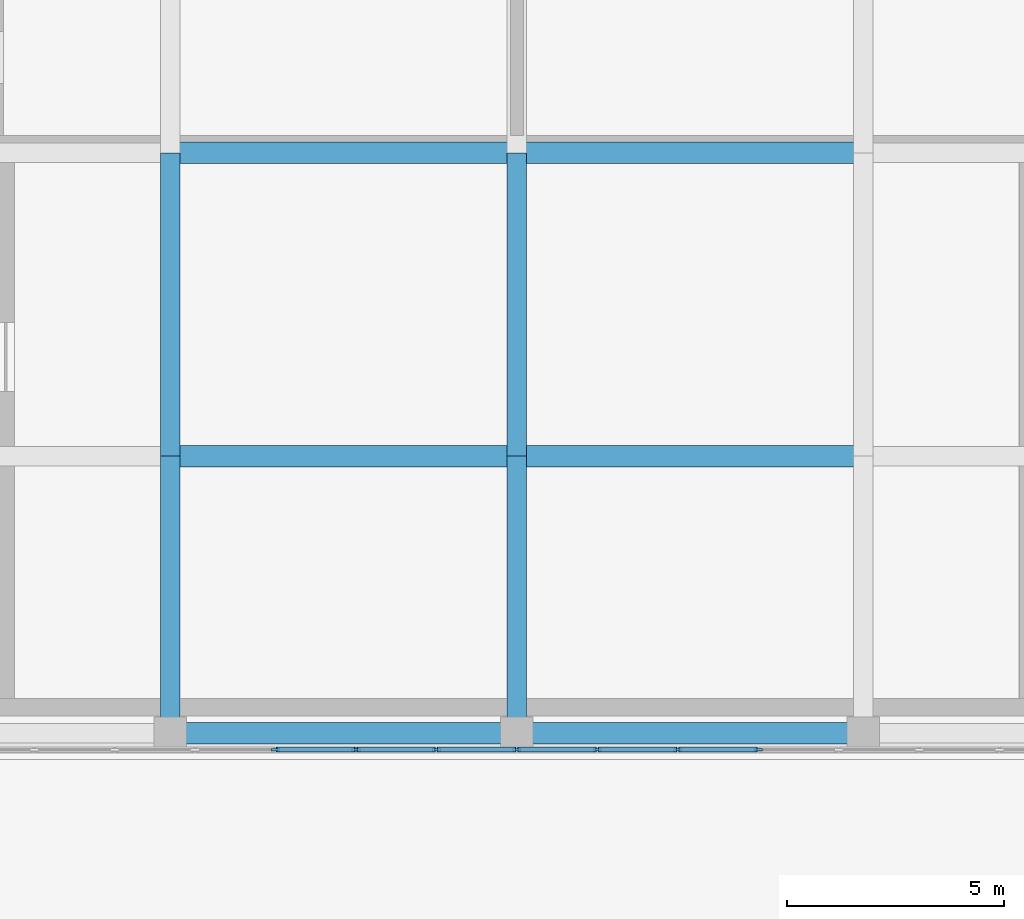
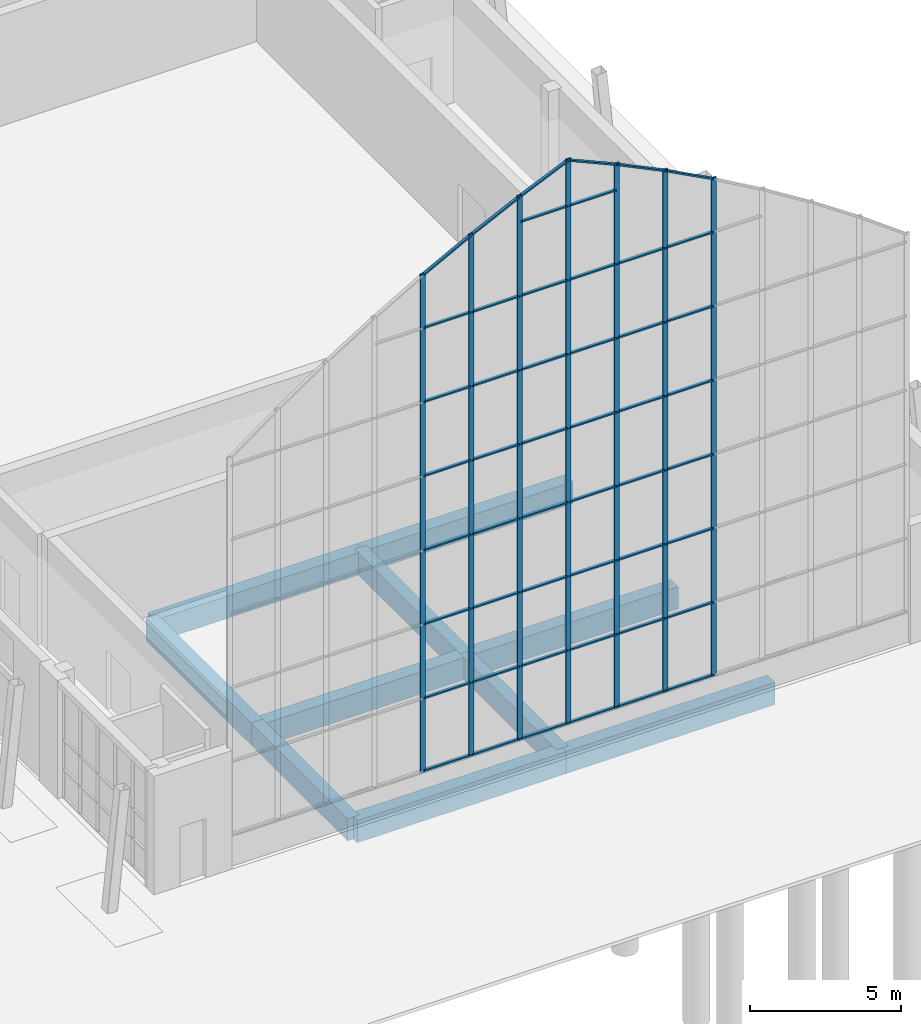
# One storey, part 36 of 144: 57 members, 10 beams, 1 element without a shape of its own.
"""IFC4 building model written with IfcOpenShell, lengths in metres."""

import ifcopenshell
import ifcopenshell.guid

model = None  # the IFC model being written
_history = None  # IfcOwnerHistory: only IFC2X3 demands one
_inside = {}  # id of a spatial element -> (the spatial element, [elements in it])
_under = {}  # id of a project, library or spatial element -> (it, [spatial elements below it])
_declared = {}  # id of a project -> (the project, [libraries it declares])
_typed = {}  # id of a type object -> (the type object, [elements of that type])
_made_of = {}  # id of a material, layer set ... -> (it, [elements and type objects made of it])


def new_model(schema):
    """Start an empty IFC model of exactly this schema.

    Asked for "IFC4X3", IfcOpenShell would pick the latest addendum, in which some entities
    have other attributes; the version numbers below select the first issue.
    IFC2X3 requires an IfcOwnerHistory on every rooted entity: one is made here for all.
    """
    global model, _history
    if schema == "IFC4X3":
        model = ifcopenshell.file(schema_version=(4, 3, 0, 0))
    else:
        model = ifcopenshell.file(schema=schema)
    _inside.clear()
    _under.clear()
    _declared.clear()
    _typed.clear()
    _made_of.clear()
    _history = None
    if model.schema == "IFC2X3":
        org = make("IfcOrganization", Name="unknown")
        user = make(
            "IfcPersonAndOrganization",
            ThePerson=make("IfcPerson", FamilyName="unknown"),
            TheOrganization=org,
        )
        app = make(
            "IfcApplication",
            ApplicationDeveloper=org,
            Version="unknown",
            ApplicationFullName="unknown",
            ApplicationIdentifier="unknown",
        )
        _history = make(
            "IfcOwnerHistory",
            OwningUser=user,
            OwningApplication=app,
            ChangeAction="ADDED",
            CreationDate=0,
        )
    return model


def make(cls, **values):
    """One entity of the class cls with the attributes given. An attribute that is None is left unset."""
    return model.create_entity(
        cls, **{name: value for name, value in values.items() if value is not None}
    )


def rooted(cls, **values):
    """An entity with a GlobalId (a new one), such as an element, a storey or a relation."""
    return make(cls, GlobalId=ifcopenshell.guid.new(), OwnerHistory=_history, **values)


def si_unit(unit_type, name, prefix=None):
    """IfcSIUnit, for example si_unit("LENGTHUNIT", "METRE", prefix="MILLI")."""
    return make("IfcSIUnit", UnitType=unit_type, Prefix=prefix, Name=name)


def assignment(units):
    """IfcUnitAssignment: the units of a project."""
    return None if units is None else make("IfcUnitAssignment", Units=units)


def point(xyz):
    """IfcCartesianPoint."""
    return None if xyz is None else make("IfcCartesianPoint", Coordinates=xyz)


def direction(xyz):
    """IfcDirection."""
    return None if xyz is None else make("IfcDirection", DirectionRatios=xyz)


def frame(location, z_axis=None, x_axis=None):
    """IfcAxis2Placement3D, a coordinate frame: its origin and axes. An axis left out is left unset."""
    return make(
        "IfcAxis2Placement3D",
        Location=point(location),
        Axis=direction(z_axis),
        RefDirection=direction(x_axis),
    )


def frame_2d(location, x_axis=None):
    """IfcAxis2Placement2D, a coordinate frame in the plane: its origin and x axis."""
    return make(
        "IfcAxis2Placement2D", Location=point(location), RefDirection=direction(x_axis)
    )


def origin():
    """The frame at (0, 0, 0) with its axes left unset."""
    return frame((0.0, 0.0, 0.0))


def origin_2d():
    """The frame at (0, 0) in the plane with its x axis left unset."""
    return frame_2d((0.0, 0.0))


def place(relative_to, where):
    """IfcLocalPlacement: puts the frame where relative to a parent placement (None: the world)."""
    return make(
        "IfcLocalPlacement", PlacementRelTo=relative_to, RelativePlacement=where
    )


def context(
    kind, dimensions, precision=None, world=None, true_north=None, identifier=None
):
    """IfcGeometricRepresentationContext, for example the 3D "Model" context."""
    return make(
        "IfcGeometricRepresentationContext",
        ContextIdentifier=identifier,
        ContextType=kind,
        CoordinateSpaceDimension=dimensions,
        Precision=precision,
        WorldCoordinateSystem=world,
        TrueNorth=true_north,
    )


def subcontext(parent, identifier, kind, view, scale=None):
    """IfcGeometricRepresentationSubContext, for example "Body" below "Model"."""
    return make(
        "IfcGeometricRepresentationSubContext",
        ContextIdentifier=identifier,
        ContextType=kind,
        ParentContext=parent,
        TargetScale=scale,
        TargetView=view,
    )


def project(units=None, contexts=None):
    """IfcProject with its units and contexts."""
    return rooted(
        "IfcProject",
        Name="project",
        RepresentationContexts=contexts,
        UnitsInContext=assignment(units),
    )


def spatial(cls, under=None, at=None, **own):
    """A site, building, storey or space (cls), placed at a placement, below another one or the project."""
    s = rooted(cls, ObjectPlacement=at, **own)
    if under is not None:
        _under.setdefault(under.id(), (under, []))[1].append(s)
    return s


def profile(cls, at=None, kind="AREA", **sizes):
    """A parametric profile (cls). Its sizes go by their IFC names, for example OverallWidth=200.0."""
    return make(cls, ProfileType=kind, Position=at, **sizes)


def rectangle(**sizes):
    """IfcRectangleProfileDef."""
    return profile("IfcRectangleProfileDef", **sizes)


def extrude(swept, where, along, depth):
    """IfcExtrudedAreaSolid: the profile swept, set in the frame where, extruded along a direction by depth."""
    return make(
        "IfcExtrudedAreaSolid",
        SweptArea=swept,
        Position=where,
        ExtrudedDirection=direction(along),
        Depth=depth,
    )


def shape(context_of_items, identifier, shape_type, items):
    """IfcShapeRepresentation: the items that make up one representation, for example the "Body"."""
    return make(
        "IfcShapeRepresentation",
        ContextOfItems=context_of_items,
        RepresentationIdentifier=identifier,
        RepresentationType=shape_type,
        Items=items,
    )


def material(Name=None, Category=None):
    """IfcMaterial."""
    return make("IfcMaterial", Name=Name, Category=Category)


def layer(
    of_material, thickness, ventilated=None, Name=None, Category=None, Priority=None
):
    """IfcMaterialLayer: one layer of a wall or slab, of a material (None: an air gap)."""
    return make(
        "IfcMaterialLayer",
        Material=of_material,
        LayerThickness=thickness,
        IsVentilated=ventilated,
        Name=Name,
        Category=Category,
        Priority=Priority,
    )


def layer_set(layers, Name=None):
    """IfcMaterialLayerSet."""
    return make("IfcMaterialLayerSet", MaterialLayers=layers, LayerSetName=Name)


def material_profile(
    of_material, cross_section, Name=None, Category=None, Priority=None
):
    """IfcMaterialProfile: a cross section and its material."""
    return make(
        "IfcMaterialProfile",
        Name=Name,
        Material=of_material,
        Profile=cross_section,
        Priority=Priority,
        Category=Category,
    )


def profile_set(profiles, Name=None, composite=None):
    """IfcMaterialProfileSet."""
    return make(
        "IfcMaterialProfileSet",
        Name=Name,
        MaterialProfiles=profiles,
        CompositeProfile=composite,
    )


def made_of(thing, what):
    """Note that an element or type object is made of a material, layer set ...; save() writes the relation."""
    if what is not None:
        _made_of.setdefault(what.id(), (what, []))[1].append(thing)
    return thing


def type_object(cls, material=None, **own):
    """A type object (cls), such as IfcWallType, which elements share."""
    return made_of(rooted(cls, **own), material)


def element(
    cls,
    number,
    at=None,
    inside=None,
    cuts=None,
    type_object=None,
    material=None,
    context=None,
    identifier="Body",
    shape_type=None,
    held_by="IfcProductDefinitionShape",
    body=None,
    shapes=None,
    **own,
):
    """One element of the class cls, such as IfcWall. Its Tag is "e" and its number.

    at: its placement. inside: the storey or other place that contains it. cuts: it is an
    opening in that element (IfcRelVoidsElement). A single representation is given by context,
    identifier, shape_type and body (its items); several are given by shapes. held_by: the class
    of the entity that holds the representations. save() writes the other relations.
    """
    e = rooted(cls, Tag="e%d" % number, ObjectPlacement=at, **own)
    if body is not None:
        shapes = [shape(context, identifier, shape_type, body)]
    if shapes is not None:
        e.Representation = make(held_by, Representations=shapes)
    if inside is not None:
        _inside.setdefault(inside.id(), (inside, []))[1].append(e)
    if cuts is not None:
        rooted(
            "IfcRelVoidsElement", RelatingBuildingElement=cuts, RelatedOpeningElement=e
        )
    if type_object is not None:
        _typed.setdefault(type_object.id(), (type_object, []))[1].append(e)
    return made_of(e, material)


def aggregate(whole, parts):
    """IfcRelAggregates: a whole, such as a stair, and the parts it consists of."""
    return rooted("IfcRelAggregates", RelatingObject=whole, RelatedObjects=parts)


def save(model, path):
    """Write the relations noted so far, then the file.

    IfcRelAggregates (storeys below a building ...), IfcRelContainedInSpatialStructure (elements
    in a storey), IfcRelDefinesByType, IfcRelAssociatesMaterial and IfcRelDeclares: one each for
    every whole, place, type object, material and project.
    """
    for whole, parts in _under.values():
        aggregate(whole, parts)
    for where, things in _inside.values():
        rooted(
            "IfcRelContainedInSpatialStructure",
            RelatedElements=things,
            RelatingStructure=where,
        )
    for kind, things in _typed.values():
        rooted("IfcRelDefinesByType", RelatedObjects=things, RelatingType=kind)
    for what, things in _made_of.values():
        rooted("IfcRelAssociatesMaterial", RelatedObjects=things, RelatingMaterial=what)
    for by, libraries in _declared.values():
        rooted("IfcRelDeclares", RelatingContext=by, RelatedDefinitions=libraries)
    model.write(path)


model = new_model("IFC4")

# Units and contexts
model_context = context("Model", 3, precision=1e-05, world=origin(), true_north=direction((0.0, 1.0)))
body_context = subcontext(model_context, "Body", "Model", "MODEL_VIEW")
ifc_project = project(units=[si_unit("LENGTHUNIT", "METRE"), si_unit("AREAUNIT", "SQUARE_METRE"), si_unit("VOLUMEUNIT", "CUBIC_METRE"), si_unit("PLANEANGLEUNIT", "RADIAN"), si_unit("MASSUNIT", "GRAM", prefix="KILO")], contexts=[model_context])

# Site, building, storey
site_placement = place(None, origin())
site = spatial("IfcSite", under=ifc_project, at=site_placement, CompositionType="ELEMENT")
building_placement = place(site_placement, origin())
building = spatial("IfcBuilding", under=site, at=building_placement, Name="Lantern Court Media Centre", CompositionType="ELEMENT")
storey_placement = place(building_placement, origin())
storey = spatial("IfcBuildingStorey", under=building, at=storey_placement, Name="L00", CompositionType="ELEMENT", Elevation=0.0)

# Curtain wall, members
ifc_material_1 = material(Name="Aluminium and glass", Category="aluminium")
ifc_layer = layer(ifc_material_1, 0.14990234375)
ifc_layer_set = layer_set([ifc_layer], Name="Aluminium and glass")
curtain_wall_type = type_object("IfcCurtainWallType", Name="Hall lancet glazing", PredefinedType="NOTDEFINED", material=ifc_layer_set)
curtain_wall_placement = place(storey_placement, origin())
curtain_wall = element("IfcCurtainWall", 1, at=curtain_wall_placement, inside=storey, type_object=curtain_wall_type, Name="Studio Hall HCW-V20 glazing", PredefinedType="NOTDEFINED")
ifc_material_2 = material(Name="Aluminium, anodised", Category="aluminium")
ifc_material_profile_1 = material_profile(ifc_material_2, rectangle(XDim=0.06005859375, YDim=0.199951171875, at=origin_2d()), Name="HM")
ifc_profile_set_1 = profile_set([ifc_material_profile_1], Name="Aluminium, anodised")
member_type_1 = type_object("IfcMemberType", Name="HM", PredefinedType="MULLION", material=ifc_profile_set_1)
member_1_placement = place(storey_placement, frame((82.428466796875, -1.77490234375, 1.199951171875), z_axis=(0.0, 0.0, 1.0), x_axis=(0.0, 1.0, 0.0)))
member_1 = element("IfcMember", 2, at=member_1_placement, type_object=member_type_1, Name="HCW-V20 mullion 5", PredefinedType="MULLION", context=body_context, shape_type="SweptSolid", body=[
    extrude(rectangle(XDim=0.06005859375, YDim=0.199951171875, at=origin_2d()), origin(), (0.0, 0.0, 1.0), 20.192626953125),
])
member_2_placement = place(storey_placement, frame((84.28564453125, -1.77490234375, 1.199951171875), z_axis=(0.0, 0.0, 1.0), x_axis=(0.0, 1.0, 0.0)))
member_2 = element("IfcMember", 3, at=member_2_placement, type_object=member_type_1, Name="HCW-V20 mullion 6", PredefinedType="MULLION", context=body_context, shape_type="SweptSolid", body=[
    extrude(rectangle(XDim=0.06005859375, YDim=0.199951171875, at=origin_2d()), origin(), (0.0, 0.0, 1.0), 21.1748046875),
])
member_3_placement = place(storey_placement, frame((86.142822265625, -1.77490234375, 1.199951171875), z_axis=(0.0, 0.0, 1.0), x_axis=(0.0, 1.0, 0.0)))
member_3 = element("IfcMember", 4, at=member_3_placement, type_object=member_type_1, Name="HCW-V20 mullion 7", PredefinedType="MULLION", context=body_context, shape_type="SweptSolid", body=[
    extrude(rectangle(XDim=0.06005859375, YDim=0.199951171875, at=origin_2d()), origin(), (0.0, 0.0, 1.0), 22.075927734375),
])
member_4_placement = place(storey_placement, frame((88.0, -1.77490234375, 1.199951171875), z_axis=(0.0, 0.0, 1.0), x_axis=(0.0, 1.0, 0.0)))
member_4 = element("IfcMember", 5, at=member_4_placement, type_object=member_type_1, Name="HCW-V20 mullion 8", PredefinedType="MULLION", context=body_context, shape_type="SweptSolid", body=[
    extrude(rectangle(XDim=0.06005859375, YDim=0.199951171875, at=origin_2d()), origin(), (0.0, 0.0, 1.0), 22.900146484375),
])
member_5_placement = place(storey_placement, frame((89.857177734375, -1.77490234375, 1.199951171875), z_axis=(0.0, 0.0, 1.0), x_axis=(0.0, 1.0, 0.0)))
member_5 = element("IfcMember", 6, at=member_5_placement, type_object=member_type_1, Name="HCW-V20 mullion 9", PredefinedType="MULLION", context=body_context, shape_type="SweptSolid", body=[
    extrude(rectangle(XDim=0.06005859375, YDim=0.199951171875, at=origin_2d()), origin(), (0.0, 0.0, 1.0), 22.075927734375),
])
member_6_placement = place(storey_placement, frame((91.71435546875, -1.77490234375, 1.199951171875), z_axis=(0.0, 0.0, 1.0), x_axis=(0.0, 1.0, 0.0)))
member_6 = element("IfcMember", 7, at=member_6_placement, type_object=member_type_1, Name="HCW-V20 mullion 10", PredefinedType="MULLION", context=body_context, shape_type="SweptSolid", body=[
    extrude(rectangle(XDim=0.06005859375, YDim=0.199951171875, at=origin_2d()), origin(), (0.0, 0.0, 1.0), 21.1748046875),
])
member_7_placement = place(storey_placement, frame((93.571533203125, -1.77490234375, 1.199951171875), z_axis=(0.0, 0.0, 1.0), x_axis=(0.0, 1.0, 0.0)))
member_7 = element("IfcMember", 8, at=member_7_placement, type_object=member_type_1, Name="HCW-V20 mullion 11", PredefinedType="MULLION", context=body_context, shape_type="SweptSolid", body=[
    extrude(rectangle(XDim=0.06005859375, YDim=0.199951171875, at=origin_2d()), origin(), (0.0, 0.0, 1.0), 20.192626953125),
])
ifc_material_profile_2 = material_profile(ifc_material_2, rectangle(XDim=0.1201171875, YDim=0.06005859375, at=origin_2d()), Name="HT")
ifc_profile_set_2 = profile_set([ifc_material_profile_2], Name="Aluminium, anodised")
member_type_2 = type_object("IfcMemberType", Name="HT", PredefinedType="USERDEFINED", material=ifc_profile_set_2)
member_8_placement = place(storey_placement, frame((82.45849609375, -1.77490234375, 1.260009765625), z_axis=(1.0, 0.0, 0.0), x_axis=(0.0, 1.0, 0.0)))
member_8 = element("IfcMember", 9, at=member_8_placement, type_object=member_type_2, Name="HCW-V20 transom 5.1", ObjectType="TRANSOM", PredefinedType="USERDEFINED", context=body_context, shape_type="SweptSolid", body=[
    extrude(rectangle(XDim=0.1201171875, YDim=0.06005859375, at=origin_2d()), origin(), (0.0, 0.0, 1.0), 1.797119140625),
])
member_9_placement = place(storey_placement, frame((82.45849609375, -1.77490234375, 4.199951171875), z_axis=(1.0, 0.0, 0.0), x_axis=(0.0, 1.0, 0.0)))
member_9 = element("IfcMember", 10, at=member_9_placement, type_object=member_type_2, Name="HCW-V20 transom 5.2", ObjectType="TRANSOM", PredefinedType="USERDEFINED", context=body_context, shape_type="SweptSolid", body=[
    extrude(rectangle(XDim=0.1201171875, YDim=0.06005859375, at=origin_2d()), origin(), (0.0, 0.0, 1.0), 1.797119140625),
])
member_10_placement = place(storey_placement, frame((82.45849609375, -1.77490234375, 7.199951171875), z_axis=(1.0, 0.0, 0.0), x_axis=(0.0, 1.0, 0.0)))
member_10 = element("IfcMember", 11, at=member_10_placement, type_object=member_type_2, Name="HCW-V20 transom 5.3", ObjectType="TRANSOM", PredefinedType="USERDEFINED", context=body_context, shape_type="SweptSolid", body=[
    extrude(rectangle(XDim=0.1201171875, YDim=0.06005859375, at=origin_2d()), origin(), (0.0, 0.0, 1.0), 1.797119140625),
])
member_11_placement = place(storey_placement, frame((82.45849609375, -1.77490234375, 10.199951171875), z_axis=(1.0, 0.0, 0.0), x_axis=(0.0, 1.0, 0.0)))
member_11 = element("IfcMember", 12, at=member_11_placement, type_object=member_type_2, Name="HCW-V20 transom 5.4", ObjectType="TRANSOM", PredefinedType="USERDEFINED", context=body_context, shape_type="SweptSolid", body=[
    extrude(rectangle(XDim=0.1201171875, YDim=0.06005859375, at=origin_2d()), origin(), (0.0, 0.0, 1.0), 1.797119140625),
])
member_12_placement = place(storey_placement, frame((82.45849609375, -1.77490234375, 13.199951171875), z_axis=(1.0, 0.0, 0.0), x_axis=(0.0, 1.0, 0.0)))
member_12 = element("IfcMember", 13, at=member_12_placement, type_object=member_type_2, Name="HCW-V20 transom 5.5", ObjectType="TRANSOM", PredefinedType="USERDEFINED", context=body_context, shape_type="SweptSolid", body=[
    extrude(rectangle(XDim=0.1201171875, YDim=0.06005859375, at=origin_2d()), origin(), (0.0, 0.0, 1.0), 1.797119140625),
])
member_13_placement = place(storey_placement, frame((82.45849609375, -1.77490234375, 16.199951171875), z_axis=(1.0, 0.0, 0.0), x_axis=(0.0, 1.0, 0.0)))
member_13 = element("IfcMember", 14, at=member_13_placement, type_object=member_type_2, Name="HCW-V20 transom 5.6", ObjectType="TRANSOM", PredefinedType="USERDEFINED", context=body_context, shape_type="SweptSolid", body=[
    extrude(rectangle(XDim=0.1201171875, YDim=0.06005859375, at=origin_2d()), origin(), (0.0, 0.0, 1.0), 1.797119140625),
])
member_14_placement = place(storey_placement, frame((82.45849609375, -1.77490234375, 19.199951171875), z_axis=(1.0, 0.0, 0.0), x_axis=(0.0, 1.0, 0.0)))
member_14 = element("IfcMember", 15, at=member_14_placement, type_object=member_type_2, Name="HCW-V20 transom 5.7", ObjectType="TRANSOM", PredefinedType="USERDEFINED", context=body_context, shape_type="SweptSolid", body=[
    extrude(rectangle(XDim=0.1201171875, YDim=0.06005859375, at=origin_2d()), origin(), (0.0, 0.0, 1.0), 1.797119140625),
])
member_15_placement = place(storey_placement, frame((82.45849609375, -1.77490234375, 21.34912109375), z_axis=(0.88398647295, 0.0, 0.467512476456), x_axis=(0.0, 1.0, 0.0)))
member_15 = element("IfcMember", 16, at=member_15_placement, type_object=member_type_2, Name="HCW-V20 head member 5", ObjectType="TRANSOM", PredefinedType="USERDEFINED", context=body_context, shape_type="SweptSolid", body=[
    extrude(rectangle(XDim=0.1201171875, YDim=0.06005859375, at=origin_2d()), origin(), (0.0, 0.0, 1.0), 2.032958984375),
])
member_16_placement = place(storey_placement, frame((84.315673828125, -1.77490234375, 1.260009765625), z_axis=(1.0, 0.0, 0.0), x_axis=(0.0, 1.0, 0.0)))
member_16 = element("IfcMember", 17, at=member_16_placement, type_object=member_type_2, Name="HCW-V20 transom 6.1", ObjectType="TRANSOM", PredefinedType="USERDEFINED", context=body_context, shape_type="SweptSolid", body=[
    extrude(rectangle(XDim=0.1201171875, YDim=0.06005859375, at=origin_2d()), origin(), (0.0, 0.0, 1.0), 1.797119140625),
])
member_17_placement = place(storey_placement, frame((84.315673828125, -1.77490234375, 4.199951171875), z_axis=(1.0, 0.0, 0.0), x_axis=(0.0, 1.0, 0.0)))
member_17 = element("IfcMember", 18, at=member_17_placement, type_object=member_type_2, Name="HCW-V20 transom 6.2", ObjectType="TRANSOM", PredefinedType="USERDEFINED", context=body_context, shape_type="SweptSolid", body=[
    extrude(rectangle(XDim=0.1201171875, YDim=0.06005859375, at=origin_2d()), origin(), (0.0, 0.0, 1.0), 1.797119140625),
])
member_18_placement = place(storey_placement, frame((84.315673828125, -1.77490234375, 7.199951171875), z_axis=(1.0, 0.0, 0.0), x_axis=(0.0, 1.0, 0.0)))
member_18 = element("IfcMember", 19, at=member_18_placement, type_object=member_type_2, Name="HCW-V20 transom 6.3", ObjectType="TRANSOM", PredefinedType="USERDEFINED", context=body_context, shape_type="SweptSolid", body=[
    extrude(rectangle(XDim=0.1201171875, YDim=0.06005859375, at=origin_2d()), origin(), (0.0, 0.0, 1.0), 1.797119140625),
])
member_19_placement = place(storey_placement, frame((84.315673828125, -1.77490234375, 10.199951171875), z_axis=(1.0, 0.0, 0.0), x_axis=(0.0, 1.0, 0.0)))
member_19 = element("IfcMember", 20, at=member_19_placement, type_object=member_type_2, Name="HCW-V20 transom 6.4", ObjectType="TRANSOM", PredefinedType="USERDEFINED", context=body_context, shape_type="SweptSolid", body=[
    extrude(rectangle(XDim=0.1201171875, YDim=0.06005859375, at=origin_2d()), origin(), (0.0, 0.0, 1.0), 1.797119140625),
])
member_20_placement = place(storey_placement, frame((84.315673828125, -1.77490234375, 13.199951171875), z_axis=(1.0, 0.0, 0.0), x_axis=(0.0, 1.0, 0.0)))
member_20 = element("IfcMember", 21, at=member_20_placement, type_object=member_type_2, Name="HCW-V20 transom 6.5", ObjectType="TRANSOM", PredefinedType="USERDEFINED", context=body_context, shape_type="SweptSolid", body=[
    extrude(rectangle(XDim=0.1201171875, YDim=0.06005859375, at=origin_2d()), origin(), (0.0, 0.0, 1.0), 1.797119140625),
])
member_21_placement = place(storey_placement, frame((84.315673828125, -1.77490234375, 16.199951171875), z_axis=(1.0, 0.0, 0.0), x_axis=(0.0, 1.0, 0.0)))
member_21 = element("IfcMember", 22, at=member_21_placement, type_object=member_type_2, Name="HCW-V20 transom 6.6", ObjectType="TRANSOM", PredefinedType="USERDEFINED", context=body_context, shape_type="SweptSolid", body=[
    extrude(rectangle(XDim=0.1201171875, YDim=0.06005859375, at=origin_2d()), origin(), (0.0, 0.0, 1.0), 1.797119140625),
])
member_22_placement = place(storey_placement, frame((84.315673828125, -1.77490234375, 19.199951171875), z_axis=(1.0, 0.0, 0.0), x_axis=(0.0, 1.0, 0.0)))
member_22 = element("IfcMember", 23, at=member_22_placement, type_object=member_type_2, Name="HCW-V20 transom 6.7", ObjectType="TRANSOM", PredefinedType="USERDEFINED", context=body_context, shape_type="SweptSolid", body=[
    extrude(rectangle(XDim=0.1201171875, YDim=0.06005859375, at=origin_2d()), origin(), (0.0, 0.0, 1.0), 1.797119140625),
])
member_23_placement = place(storey_placement, frame((84.315673828125, -1.77490234375, 22.329833984375), z_axis=(0.899668664236, 0.0, 0.436573355339), x_axis=(0.0, 1.0, 0.0)))
member_23 = element("IfcMember", 24, at=member_23_placement, type_object=member_type_2, Name="HCW-V20 head member 6", ObjectType="TRANSOM", PredefinedType="USERDEFINED", context=body_context, shape_type="SweptSolid", body=[
    extrude(rectangle(XDim=0.1201171875, YDim=0.06005859375, at=origin_2d()), origin(), (0.0, 0.0, 1.0), 1.99755859375),
])
member_24_placement = place(storey_placement, frame((86.1728515625, -1.77490234375, 1.260009765625), z_axis=(1.0, 0.0, 0.0), x_axis=(0.0, 1.0, 0.0)))
member_24 = element("IfcMember", 25, at=member_24_placement, type_object=member_type_2, Name="HCW-V20 transom 7.1", ObjectType="TRANSOM", PredefinedType="USERDEFINED", context=body_context, shape_type="SweptSolid", body=[
    extrude(rectangle(XDim=0.1201171875, YDim=0.06005859375, at=origin_2d()), origin(), (0.0, 0.0, 1.0), 1.797119140625),
])
member_25_placement = place(storey_placement, frame((86.1728515625, -1.77490234375, 4.199951171875), z_axis=(1.0, 0.0, 0.0), x_axis=(0.0, 1.0, 0.0)))
member_25 = element("IfcMember", 26, at=member_25_placement, type_object=member_type_2, Name="HCW-V20 transom 7.2", ObjectType="TRANSOM", PredefinedType="USERDEFINED", context=body_context, shape_type="SweptSolid", body=[
    extrude(rectangle(XDim=0.1201171875, YDim=0.06005859375, at=origin_2d()), origin(), (0.0, 0.0, 1.0), 1.797119140625),
])
member_26_placement = place(storey_placement, frame((86.1728515625, -1.77490234375, 7.199951171875), z_axis=(1.0, 0.0, 0.0), x_axis=(0.0, 1.0, 0.0)))
member_26 = element("IfcMember", 27, at=member_26_placement, type_object=member_type_2, Name="HCW-V20 transom 7.3", ObjectType="TRANSOM", PredefinedType="USERDEFINED", context=body_context, shape_type="SweptSolid", body=[
    extrude(rectangle(XDim=0.1201171875, YDim=0.06005859375, at=origin_2d()), origin(), (0.0, 0.0, 1.0), 1.797119140625),
])
member_27_placement = place(storey_placement, frame((86.1728515625, -1.77490234375, 10.199951171875), z_axis=(1.0, 0.0, 0.0), x_axis=(0.0, 1.0, 0.0)))
member_27 = element("IfcMember", 28, at=member_27_placement, type_object=member_type_2, Name="HCW-V20 transom 7.4", ObjectType="TRANSOM", PredefinedType="USERDEFINED", context=body_context, shape_type="SweptSolid", body=[
    extrude(rectangle(XDim=0.1201171875, YDim=0.06005859375, at=origin_2d()), origin(), (0.0, 0.0, 1.0), 1.797119140625),
])
member_28_placement = place(storey_placement, frame((86.1728515625, -1.77490234375, 13.199951171875), z_axis=(1.0, 0.0, 0.0), x_axis=(0.0, 1.0, 0.0)))
member_28 = element("IfcMember", 29, at=member_28_placement, type_object=member_type_2, Name="HCW-V20 transom 7.5", ObjectType="TRANSOM", PredefinedType="USERDEFINED", context=body_context, shape_type="SweptSolid", body=[
    extrude(rectangle(XDim=0.1201171875, YDim=0.06005859375, at=origin_2d()), origin(), (0.0, 0.0, 1.0), 1.797119140625),
])
member_29_placement = place(storey_placement, frame((86.1728515625, -1.77490234375, 16.199951171875), z_axis=(1.0, 0.0, 0.0), x_axis=(0.0, 1.0, 0.0)))
member_29 = element("IfcMember", 30, at=member_29_placement, type_object=member_type_2, Name="HCW-V20 transom 7.6", ObjectType="TRANSOM", PredefinedType="USERDEFINED", context=body_context, shape_type="SweptSolid", body=[
    extrude(rectangle(XDim=0.1201171875, YDim=0.06005859375, at=origin_2d()), origin(), (0.0, 0.0, 1.0), 1.797119140625),
])
member_30_placement = place(storey_placement, frame((86.1728515625, -1.77490234375, 19.199951171875), z_axis=(1.0, 0.0, 0.0), x_axis=(0.0, 1.0, 0.0)))
member_30 = element("IfcMember", 31, at=member_30_placement, type_object=member_type_2, Name="HCW-V20 transom 7.7", ObjectType="TRANSOM", PredefinedType="USERDEFINED", context=body_context, shape_type="SweptSolid", body=[
    extrude(rectangle(XDim=0.1201171875, YDim=0.06005859375, at=origin_2d()), origin(), (0.0, 0.0, 1.0), 1.797119140625),
])
member_31_placement = place(storey_placement, frame((86.1728515625, -1.77490234375, 22.199951171875), z_axis=(1.0, 0.0, 0.0), x_axis=(0.0, 1.0, 0.0)))
member_31 = element("IfcMember", 32, at=member_31_placement, type_object=member_type_2, Name="HCW-V20 transom 7.8", ObjectType="TRANSOM", PredefinedType="USERDEFINED", context=body_context, shape_type="SweptSolid", body=[
    extrude(rectangle(XDim=0.1201171875, YDim=0.06005859375, at=origin_2d()), origin(), (0.0, 0.0, 1.0), 1.797119140625),
])
member_32_placement = place(storey_placement, frame((86.1728515625, -1.77490234375, 23.229736328125), z_axis=(0.91402136482, 0.0, 0.405666050654), x_axis=(0.0, 1.0, 0.0)))
member_32 = element("IfcMember", 33, at=member_32_placement, type_object=member_type_2, Name="HCW-V20 head member 7", ObjectType="TRANSOM", PredefinedType="USERDEFINED", context=body_context, shape_type="SweptSolid", body=[
    extrude(rectangle(XDim=0.1201171875, YDim=0.06005859375, at=origin_2d()), origin(), (0.0, 0.0, 1.0), 1.966064453125),
])
member_33_placement = place(storey_placement, frame((88.030029296875, -1.77490234375, 1.260009765625), z_axis=(1.0, 0.0, 0.0), x_axis=(0.0, 1.0, 0.0)))
member_33 = element("IfcMember", 34, at=member_33_placement, type_object=member_type_2, Name="HCW-V20 transom 8.1", ObjectType="TRANSOM", PredefinedType="USERDEFINED", context=body_context, shape_type="SweptSolid", body=[
    extrude(rectangle(XDim=0.1201171875, YDim=0.06005859375, at=origin_2d()), origin(), (0.0, 0.0, 1.0), 1.797119140625),
])
member_34_placement = place(storey_placement, frame((88.030029296875, -1.77490234375, 4.199951171875), z_axis=(1.0, 0.0, 0.0), x_axis=(0.0, 1.0, 0.0)))
member_34 = element("IfcMember", 35, at=member_34_placement, type_object=member_type_2, Name="HCW-V20 transom 8.2", ObjectType="TRANSOM", PredefinedType="USERDEFINED", context=body_context, shape_type="SweptSolid", body=[
    extrude(rectangle(XDim=0.1201171875, YDim=0.06005859375, at=origin_2d()), origin(), (0.0, 0.0, 1.0), 1.797119140625),
])
member_35_placement = place(storey_placement, frame((88.030029296875, -1.77490234375, 7.199951171875), z_axis=(1.0, 0.0, 0.0), x_axis=(0.0, 1.0, 0.0)))
member_35 = element("IfcMember", 36, at=member_35_placement, type_object=member_type_2, Name="HCW-V20 transom 8.3", ObjectType="TRANSOM", PredefinedType="USERDEFINED", context=body_context, shape_type="SweptSolid", body=[
    extrude(rectangle(XDim=0.1201171875, YDim=0.06005859375, at=origin_2d()), origin(), (0.0, 0.0, 1.0), 1.797119140625),
])
member_36_placement = place(storey_placement, frame((88.030029296875, -1.77490234375, 10.199951171875), z_axis=(1.0, 0.0, 0.0), x_axis=(0.0, 1.0, 0.0)))
member_36 = element("IfcMember", 37, at=member_36_placement, type_object=member_type_2, Name="HCW-V20 transom 8.4", ObjectType="TRANSOM", PredefinedType="USERDEFINED", context=body_context, shape_type="SweptSolid", body=[
    extrude(rectangle(XDim=0.1201171875, YDim=0.06005859375, at=origin_2d()), origin(), (0.0, 0.0, 1.0), 1.797119140625),
])
member_37_placement = place(storey_placement, frame((88.030029296875, -1.77490234375, 13.199951171875), z_axis=(1.0, 0.0, 0.0), x_axis=(0.0, 1.0, 0.0)))
member_37 = element("IfcMember", 38, at=member_37_placement, type_object=member_type_2, Name="HCW-V20 transom 8.5", ObjectType="TRANSOM", PredefinedType="USERDEFINED", context=body_context, shape_type="SweptSolid", body=[
    extrude(rectangle(XDim=0.1201171875, YDim=0.06005859375, at=origin_2d()), origin(), (0.0, 0.0, 1.0), 1.797119140625),
])
member_38_placement = place(storey_placement, frame((88.030029296875, -1.77490234375, 16.199951171875), z_axis=(1.0, 0.0, 0.0), x_axis=(0.0, 1.0, 0.0)))
member_38 = element("IfcMember", 39, at=member_38_placement, type_object=member_type_2, Name="HCW-V20 transom 8.6", ObjectType="TRANSOM", PredefinedType="USERDEFINED", context=body_context, shape_type="SweptSolid", body=[
    extrude(rectangle(XDim=0.1201171875, YDim=0.06005859375, at=origin_2d()), origin(), (0.0, 0.0, 1.0), 1.797119140625),
])
member_39_placement = place(storey_placement, frame((88.030029296875, -1.77490234375, 19.199951171875), z_axis=(1.0, 0.0, 0.0), x_axis=(0.0, 1.0, 0.0)))
member_39 = element("IfcMember", 40, at=member_39_placement, type_object=member_type_2, Name="HCW-V20 transom 8.7", ObjectType="TRANSOM", PredefinedType="USERDEFINED", context=body_context, shape_type="SweptSolid", body=[
    extrude(rectangle(XDim=0.1201171875, YDim=0.06005859375, at=origin_2d()), origin(), (0.0, 0.0, 1.0), 1.797119140625),
])
member_40_placement = place(storey_placement, frame((88.030029296875, -1.77490234375, 22.199951171875), z_axis=(1.0, 0.0, 0.0), x_axis=(0.0, 1.0, 0.0)))
member_40 = element("IfcMember", 41, at=member_40_placement, type_object=member_type_2, Name="HCW-V20 transom 8.8", ObjectType="TRANSOM", PredefinedType="USERDEFINED", context=body_context, shape_type="SweptSolid", body=[
    extrude(rectangle(XDim=0.1201171875, YDim=0.06005859375, at=origin_2d()), origin(), (0.0, 0.0, 1.0), 1.797119140625),
])
member_41_placement = place(storey_placement, frame((88.030029296875, -1.77490234375, 24.02734375), z_axis=(0.91402136482, 0.0, -0.405666050654), x_axis=(0.0, 1.0, 0.0)))
member_41 = element("IfcMember", 42, at=member_41_placement, type_object=member_type_2, Name="HCW-V20 head member 8", ObjectType="TRANSOM", PredefinedType="USERDEFINED", context=body_context, shape_type="SweptSolid", body=[
    extrude(rectangle(XDim=0.1201171875, YDim=0.06005859375, at=origin_2d()), origin(), (0.0, 0.0, 1.0), 1.966064453125),
])
member_42_placement = place(storey_placement, frame((89.88720703125, -1.77490234375, 1.260009765625), z_axis=(1.0, 0.0, 0.0), x_axis=(0.0, 1.0, 0.0)))
member_42 = element("IfcMember", 43, at=member_42_placement, type_object=member_type_2, Name="HCW-V20 transom 9.1", ObjectType="TRANSOM", PredefinedType="USERDEFINED", context=body_context, shape_type="SweptSolid", body=[
    extrude(rectangle(XDim=0.1201171875, YDim=0.06005859375, at=origin_2d()), origin(), (0.0, 0.0, 1.0), 1.797119140625),
])
member_43_placement = place(storey_placement, frame((89.88720703125, -1.77490234375, 4.199951171875), z_axis=(1.0, 0.0, 0.0), x_axis=(0.0, 1.0, 0.0)))
member_43 = element("IfcMember", 44, at=member_43_placement, type_object=member_type_2, Name="HCW-V20 transom 9.2", ObjectType="TRANSOM", PredefinedType="USERDEFINED", context=body_context, shape_type="SweptSolid", body=[
    extrude(rectangle(XDim=0.1201171875, YDim=0.06005859375, at=origin_2d()), origin(), (0.0, 0.0, 1.0), 1.797119140625),
])
member_44_placement = place(storey_placement, frame((89.88720703125, -1.77490234375, 7.199951171875), z_axis=(1.0, 0.0, 0.0), x_axis=(0.0, 1.0, 0.0)))
member_44 = element("IfcMember", 45, at=member_44_placement, type_object=member_type_2, Name="HCW-V20 transom 9.3", ObjectType="TRANSOM", PredefinedType="USERDEFINED", context=body_context, shape_type="SweptSolid", body=[
    extrude(rectangle(XDim=0.1201171875, YDim=0.06005859375, at=origin_2d()), origin(), (0.0, 0.0, 1.0), 1.797119140625),
])
member_45_placement = place(storey_placement, frame((89.88720703125, -1.77490234375, 10.199951171875), z_axis=(1.0, 0.0, 0.0), x_axis=(0.0, 1.0, 0.0)))
member_45 = element("IfcMember", 46, at=member_45_placement, type_object=member_type_2, Name="HCW-V20 transom 9.4", ObjectType="TRANSOM", PredefinedType="USERDEFINED", context=body_context, shape_type="SweptSolid", body=[
    extrude(rectangle(XDim=0.1201171875, YDim=0.06005859375, at=origin_2d()), origin(), (0.0, 0.0, 1.0), 1.797119140625),
])
member_46_placement = place(storey_placement, frame((89.88720703125, -1.77490234375, 13.199951171875), z_axis=(1.0, 0.0, 0.0), x_axis=(0.0, 1.0, 0.0)))
member_46 = element("IfcMember", 47, at=member_46_placement, type_object=member_type_2, Name="HCW-V20 transom 9.5", ObjectType="TRANSOM", PredefinedType="USERDEFINED", context=body_context, shape_type="SweptSolid", body=[
    extrude(rectangle(XDim=0.1201171875, YDim=0.06005859375, at=origin_2d()), origin(), (0.0, 0.0, 1.0), 1.797119140625),
])
member_47_placement = place(storey_placement, frame((89.88720703125, -1.77490234375, 16.199951171875), z_axis=(1.0, 0.0, 0.0), x_axis=(0.0, 1.0, 0.0)))
member_47 = element("IfcMember", 48, at=member_47_placement, type_object=member_type_2, Name="HCW-V20 transom 9.6", ObjectType="TRANSOM", PredefinedType="USERDEFINED", context=body_context, shape_type="SweptSolid", body=[
    extrude(rectangle(XDim=0.1201171875, YDim=0.06005859375, at=origin_2d()), origin(), (0.0, 0.0, 1.0), 1.797119140625),
])
member_48_placement = place(storey_placement, frame((89.88720703125, -1.77490234375, 19.199951171875), z_axis=(1.0, 0.0, 0.0), x_axis=(0.0, 1.0, 0.0)))
member_48 = element("IfcMember", 49, at=member_48_placement, type_object=member_type_2, Name="HCW-V20 transom 9.7", ObjectType="TRANSOM", PredefinedType="USERDEFINED", context=body_context, shape_type="SweptSolid", body=[
    extrude(rectangle(XDim=0.1201171875, YDim=0.06005859375, at=origin_2d()), origin(), (0.0, 0.0, 1.0), 1.797119140625),
])
member_49_placement = place(storey_placement, frame((89.88720703125, -1.77490234375, 23.201904296875), z_axis=(0.899668664236, 0.0, -0.436573355339), x_axis=(0.0, 1.0, 0.0)))
member_49 = element("IfcMember", 50, at=member_49_placement, type_object=member_type_2, Name="HCW-V20 head member 9", ObjectType="TRANSOM", PredefinedType="USERDEFINED", context=body_context, shape_type="SweptSolid", body=[
    extrude(rectangle(XDim=0.1201171875, YDim=0.06005859375, at=origin_2d()), origin(), (0.0, 0.0, 1.0), 1.99755859375),
])
member_50_placement = place(storey_placement, frame((91.744384765625, -1.77490234375, 1.260009765625), z_axis=(1.0, 0.0, 0.0), x_axis=(0.0, 1.0, 0.0)))
member_50 = element("IfcMember", 51, at=member_50_placement, type_object=member_type_2, Name="HCW-V20 transom 10.1", ObjectType="TRANSOM", PredefinedType="USERDEFINED", context=body_context, shape_type="SweptSolid", body=[
    extrude(rectangle(XDim=0.1201171875, YDim=0.06005859375, at=origin_2d()), origin(), (0.0, 0.0, 1.0), 1.797119140625),
])
member_51_placement = place(storey_placement, frame((91.744384765625, -1.77490234375, 4.199951171875), z_axis=(1.0, 0.0, 0.0), x_axis=(0.0, 1.0, 0.0)))
member_51 = element("IfcMember", 52, at=member_51_placement, type_object=member_type_2, Name="HCW-V20 transom 10.2", ObjectType="TRANSOM", PredefinedType="USERDEFINED", context=body_context, shape_type="SweptSolid", body=[
    extrude(rectangle(XDim=0.1201171875, YDim=0.06005859375, at=origin_2d()), origin(), (0.0, 0.0, 1.0), 1.797119140625),
])
member_52_placement = place(storey_placement, frame((91.744384765625, -1.77490234375, 7.199951171875), z_axis=(1.0, 0.0, 0.0), x_axis=(0.0, 1.0, 0.0)))
member_52 = element("IfcMember", 53, at=member_52_placement, type_object=member_type_2, Name="HCW-V20 transom 10.3", ObjectType="TRANSOM", PredefinedType="USERDEFINED", context=body_context, shape_type="SweptSolid", body=[
    extrude(rectangle(XDim=0.1201171875, YDim=0.06005859375, at=origin_2d()), origin(), (0.0, 0.0, 1.0), 1.797119140625),
])
member_53_placement = place(storey_placement, frame((91.744384765625, -1.77490234375, 10.199951171875), z_axis=(1.0, 0.0, 0.0), x_axis=(0.0, 1.0, 0.0)))
member_53 = element("IfcMember", 54, at=member_53_placement, type_object=member_type_2, Name="HCW-V20 transom 10.4", ObjectType="TRANSOM", PredefinedType="USERDEFINED", context=body_context, shape_type="SweptSolid", body=[
    extrude(rectangle(XDim=0.1201171875, YDim=0.06005859375, at=origin_2d()), origin(), (0.0, 0.0, 1.0), 1.797119140625),
])
member_54_placement = place(storey_placement, frame((91.744384765625, -1.77490234375, 13.199951171875), z_axis=(1.0, 0.0, 0.0), x_axis=(0.0, 1.0, 0.0)))
member_54 = element("IfcMember", 55, at=member_54_placement, type_object=member_type_2, Name="HCW-V20 transom 10.5", ObjectType="TRANSOM", PredefinedType="USERDEFINED", context=body_context, shape_type="SweptSolid", body=[
    extrude(rectangle(XDim=0.1201171875, YDim=0.06005859375, at=origin_2d()), origin(), (0.0, 0.0, 1.0), 1.797119140625),
])
member_55_placement = place(storey_placement, frame((91.744384765625, -1.77490234375, 16.199951171875), z_axis=(1.0, 0.0, 0.0), x_axis=(0.0, 1.0, 0.0)))
member_55 = element("IfcMember", 56, at=member_55_placement, type_object=member_type_2, Name="HCW-V20 transom 10.6", ObjectType="TRANSOM", PredefinedType="USERDEFINED", context=body_context, shape_type="SweptSolid", body=[
    extrude(rectangle(XDim=0.1201171875, YDim=0.06005859375, at=origin_2d()), origin(), (0.0, 0.0, 1.0), 1.797119140625),
])
member_56_placement = place(storey_placement, frame((91.744384765625, -1.77490234375, 19.199951171875), z_axis=(1.0, 0.0, 0.0), x_axis=(0.0, 1.0, 0.0)))
member_56 = element("IfcMember", 57, at=member_56_placement, type_object=member_type_2, Name="HCW-V20 transom 10.7", ObjectType="TRANSOM", PredefinedType="USERDEFINED", context=body_context, shape_type="SweptSolid", body=[
    extrude(rectangle(XDim=0.1201171875, YDim=0.06005859375, at=origin_2d()), origin(), (0.0, 0.0, 1.0), 1.797119140625),
])
member_57_placement = place(storey_placement, frame((91.744384765625, -1.77490234375, 22.299560546875), z_axis=(0.88398647295, 0.0, -0.467512476456), x_axis=(0.0, 1.0, 0.0)))
member_57 = element("IfcMember", 58, at=member_57_placement, type_object=member_type_2, Name="HCW-V20 head member 10", ObjectType="TRANSOM", PredefinedType="USERDEFINED", context=body_context, shape_type="SweptSolid", body=[
    extrude(rectangle(XDim=0.1201171875, YDim=0.06005859375, at=origin_2d()), origin(), (0.0, 0.0, 1.0), 2.032958984375),
])
aggregate(curtain_wall, [member_1, member_2, member_3, member_4, member_5, member_6, member_7, member_8, member_9, member_10, member_11, member_12, member_13, member_14, member_15, member_16, member_17, member_18, member_19, member_20, member_21, member_22, member_23, member_24, member_25, member_26, member_27, member_28, member_29, member_30, member_31, member_32, member_33, member_34, member_35, member_36, member_37, member_38, member_39, member_40, member_41, member_42, member_43, member_44, member_45, member_46, member_47, member_48, member_49, member_50, member_51, member_52, member_53, member_54, member_55, member_56, member_57])

# Beams
ifc_material_3 = material(Name="Concrete C35", Category="concrete")
ifc_material_profile_3 = material_profile(ifc_material_3, rectangle(XDim=0.449951171875, YDim=0.89990234375, at=origin_2d()), Name="RC 450x900")
ifc_profile_set_3 = profile_set([ifc_material_profile_3], Name="Concrete C35")
beam_type_1 = type_object("IfcBeamType", Name="RC BEAM 450x900", PredefinedType="BEAM", material=ifc_profile_set_3)
beam_1_placement = place(storey_placement, frame((80.0, -1.39990234375, -0.449951171875), z_axis=(0.0, 1.0, 0.0), x_axis=(-1.0, 0.0, 0.0)))
element("IfcBeam", 59, at=beam_1_placement, inside=storey, type_object=beam_type_1, Name="HB-V2-L00-PY1-0", PredefinedType="BEAM", context=body_context, shape_type="SweptSolid", body=[
    extrude(rectangle(XDim=0.449951171875, YDim=0.89990234375, at=origin_2d()), origin(), (0.0, 0.0, 1.0), 6.39990234375),
])
beam_2_placement = place(storey_placement, frame((80.0, 5.0, -0.449951171875), z_axis=(0.0, 1.0, 0.0), x_axis=(-1.0, 0.0, 0.0)))
element("IfcBeam", 60, at=beam_2_placement, inside=storey, type_object=beam_type_1, Name="HB-V2-L00-PY1-1", PredefinedType="BEAM", context=body_context, shape_type="SweptSolid", body=[
    extrude(rectangle(XDim=0.449951171875, YDim=0.89990234375, at=origin_2d()), origin(), (0.0, 0.0, 1.0), 7.0),
])
beam_3_placement = place(storey_placement, frame((88.0, -1.39990234375, -0.449951171875), z_axis=(0.0, 1.0, 0.0), x_axis=(-1.0, 0.0, 0.0)))
element("IfcBeam", 61, at=beam_3_placement, inside=storey, type_object=beam_type_1, Name="HB-V2-L00-PY2-0", PredefinedType="BEAM", context=body_context, shape_type="SweptSolid", body=[
    extrude(rectangle(XDim=0.449951171875, YDim=0.89990234375, at=origin_2d()), origin(), (0.0, 0.0, 1.0), 6.39990234375),
])
beam_4_placement = place(storey_placement, frame((88.0, 5.0, -0.449951171875), z_axis=(0.0, 1.0, 0.0), x_axis=(-1.0, 0.0, 0.0)))
element("IfcBeam", 62, at=beam_4_placement, inside=storey, type_object=beam_type_1, Name="HB-V2-L00-PY2-1", PredefinedType="BEAM", context=body_context, shape_type="SweptSolid", body=[
    extrude(rectangle(XDim=0.449951171875, YDim=0.89990234375, at=origin_2d()), origin(), (0.0, 0.0, 1.0), 7.0),
])
ifc_material_profile_4 = material_profile(ifc_material_3, rectangle(XDim=0.5, YDim=0.89990234375, at=origin_2d()), Name="RC 500x900")
ifc_profile_set_4 = profile_set([ifc_material_profile_4], Name="Concrete C35")
beam_type_2 = type_object("IfcBeamType", Name="RC BEAM 500x900", PredefinedType="BEAM", material=ifc_profile_set_4)
for number, where, z_axis, x_axis, name in (
    (63, (80.0, -1.39990234375, -0.449951171875), (1.0, 0.0, 0.0), (0.0, 1.0, 0.0), "HB-V2-L00-PX0-1"),
    (64, (88.0, -1.39990234375, -0.449951171875), (1.0, 0.0, 0.0), (0.0, 1.0, 0.0), "HB-V2-L00-PX0-2"),
    (65, (80.0, 5.0, -0.449951171875), (1.0, 0.0, 0.0), (0.0, 1.0, 0.0), "HB-V2-L00-PX1-1"),
    (66, (88.0, 5.0, -0.449951171875), (1.0, 0.0, 0.0), (0.0, 1.0, 0.0), "HB-V2-L00-PX1-2"),
    (67, (80.0, 12.0, -0.449951171875), (1.0, 0.0, 0.0), (0.0, 1.0, 0.0), "HB-V2-L00-PX2-1"),
    (68, (88.0, 12.0, -0.449951171875), (1.0, 0.0, 0.0), (0.0, 1.0, 0.0), "HB-V2-L00-PX2-2"),
):
    element("IfcBeam", number, at=place(storey_placement, frame(where, z_axis=z_axis, x_axis=x_axis)), inside=storey, type_object=beam_type_2, Name=name, PredefinedType="BEAM", context=body_context, shape_type="SweptSolid", body=[
        extrude(rectangle(XDim=0.5, YDim=0.89990234375, at=origin_2d()), origin(), (0.0, 0.0, 1.0), 8.0),
    ])

save(model, "model.ifc")
